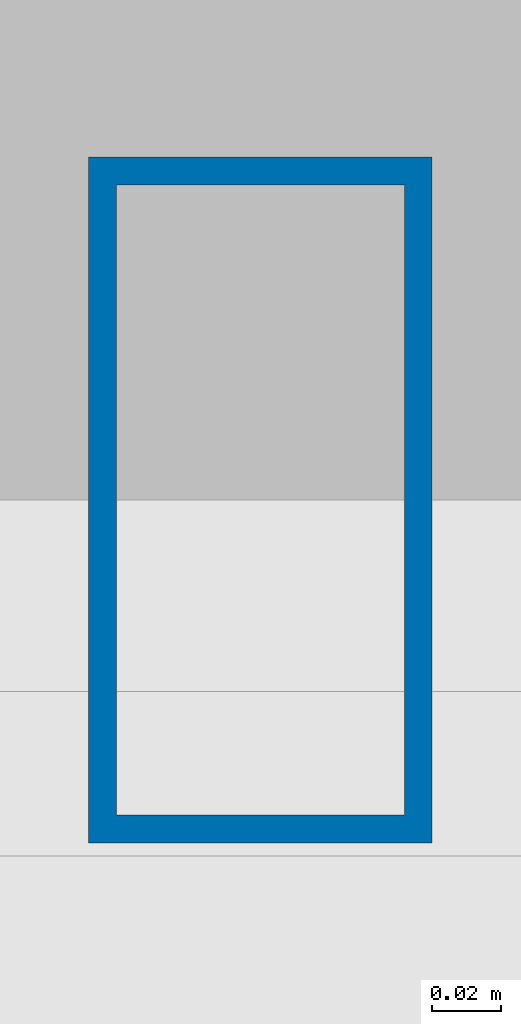
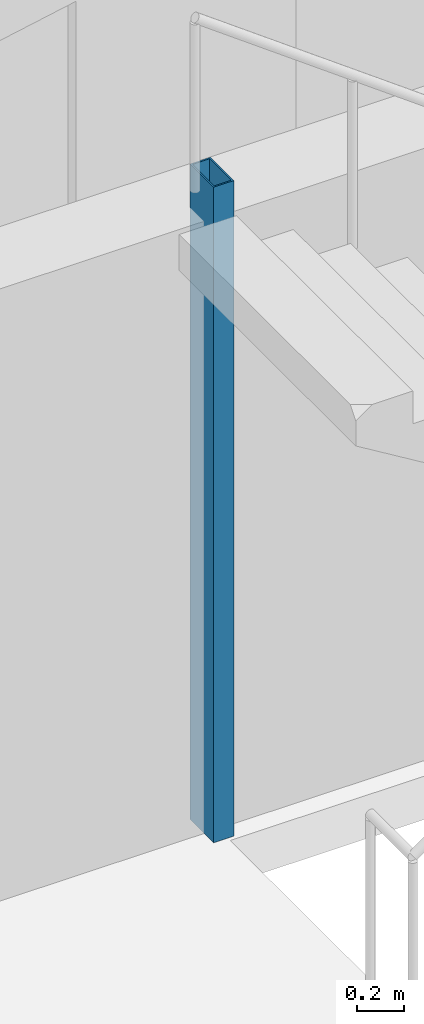
# One storey, part 2 of 21: 1 column.
"""IFC4 building model written with IfcOpenShell, lengths in metres."""

from ifc_helpers import new_model, si_unit, direction, frame, origin, origin_2d, place, context, subcontext, project, spatial, hollow_rectangle, extrude, material, material_profile, profile_set, type_object, element, save


model = new_model("IFC4")

# Units and contexts
model_context = context("Model", 3, precision=1e-05, world=origin(), true_north=direction((0.0, 1.0)))
body_context = subcontext(model_context, "Body", "Model", "MODEL_VIEW")
ifc_project = project(units=[si_unit("LENGTHUNIT", "METRE"), si_unit("AREAUNIT", "SQUARE_METRE"), si_unit("VOLUMEUNIT", "CUBIC_METRE"), si_unit("PLANEANGLEUNIT", "RADIAN"), si_unit("MASSUNIT", "GRAM", prefix="KILO")], contexts=[model_context])

# Site, building, storey
site_placement = place(None, origin())
site = spatial("IfcSite", under=ifc_project, at=site_placement, CompositionType="ELEMENT")
building_placement = place(site_placement, origin())
building = spatial("IfcBuilding", under=site, at=building_placement, Name="Menara Jurai Vektor", CompositionType="ELEMENT")
storey_placement = place(building_placement, frame((0.0, 0.0, 168.39990234375)))
storey = spatial("IfcBuildingStorey", under=building, at=storey_placement, Name="L43", CompositionType="ELEMENT", Elevation=168.39990234375)

# Column
ifc_material = material(Name="Steel S355", Category="steel")
ifc_material_profile = material_profile(ifc_material, hollow_rectangle(XDim=0.10009765625, YDim=0.199951171875, WallThickness=0.008056640625, at=origin_2d()), Name="RHS 200x100x8")
ifc_profile_set = profile_set([ifc_material_profile], Name="Steel S355")
column_type = type_object("IfcColumnType", Name="STR-COL-STAIR", PredefinedType="COLUMN", material=ifc_profile_set)
column_placement = place(storey_placement, frame((-11.1201171875, 5.419921875, 0.0), z_axis=(0.0, 0.0, 1.0), x_axis=(1.0, 0.0, 0.0)))
element("IfcColumn", 1, at=column_placement, inside=storey, type_object=column_type, Name="Stair Well Header Column ST1-P2 L43", PredefinedType="COLUMN", context=body_context, shape_type="SweptSolid", body=[
    extrude(hollow_rectangle(XDim=0.10009765625, YDim=0.199951171875, WallThickness=0.008056640625, at=origin_2d()), origin(), (0.0, 0.0, 1.0), 3.400146484375),
])

save(model, "model.ifc")
